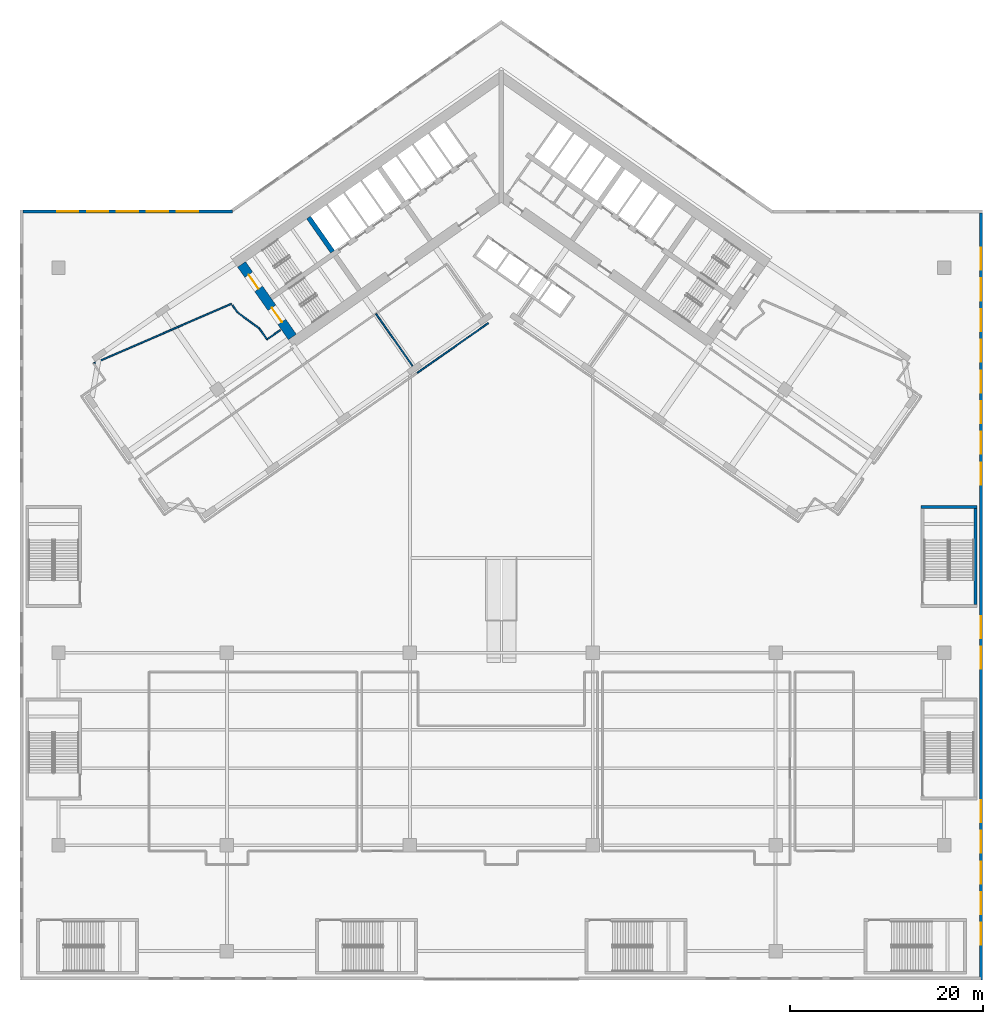
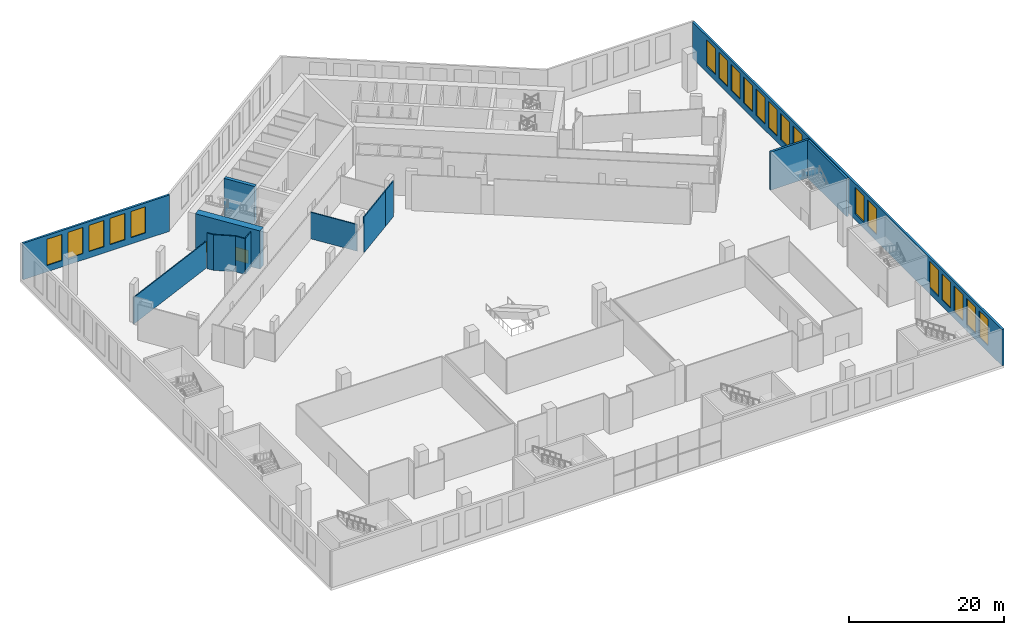
# One storey, part 9 of 25: 20 windows, 14 walls, 2 doors, 22 openings.
"""IFC4 building model written with IfcOpenShell, lengths in metres."""

from ifc_helpers import new_model, si_unit, direction, frame, frame_2d, origin, place, context, subcontext, project, spatial, polyline, rectangle, outline, extrude, material, layer, layer_set, type_object, element, fill, save


model = new_model("IFC4")

# Units and contexts
model_context = context("Model", 3, precision=1e-05, world=origin(), true_north=direction((0.0, 1.0)))
body_context = subcontext(model_context, "Body", "Model", "MODEL_VIEW")
ifc_project = project(units=[si_unit("LENGTHUNIT", "METRE"), si_unit("AREAUNIT", "SQUARE_METRE"), si_unit("VOLUMEUNIT", "CUBIC_METRE"), si_unit("PLANEANGLEUNIT", "RADIAN"), si_unit("MASSUNIT", "GRAM", prefix="KILO")], contexts=[model_context])

# Site, building, storey
site_placement = place(None, origin())
site = spatial("IfcSite", under=ifc_project, at=site_placement, CompositionType="ELEMENT")
building_placement = place(site_placement, origin())
building = spatial("IfcBuilding", under=site, at=building_placement, Name="Tel Ilan Convention Tower", CompositionType="ELEMENT")
storey_placement = place(building_placement, frame((0.0, 0.0, 26.0)))
storey = spatial("IfcBuildingStorey", under=building, at=storey_placement, Name="L03", CompositionType="ELEMENT", Elevation=26.0)

# Wall, openings, doors
ifc_material_1 = material(Name="Concrete C60/75", Category="concrete")
ifc_layer_1 = layer(ifc_material_1, 1.0)
ifc_layer_set_1 = layer_set([ifc_layer_1], Name="Core Shear Wall 1000 mm C60/75")
wall_type_1 = type_object("IfcWallType", Name="Core Shear Wall 1000 mm C60/75", PredefinedType="SHEAR", material=ifc_layer_set_1)
wall_1_placement = place(storey_placement, frame((-21.70751953125, -15.19970703125, 0.0), z_axis=(0.0, 0.0, 1.0), x_axis=(-0.573576324356, 0.819152122709, 0.0)))
wall_1 = element("IfcWall", 1, at=wall_1_placement, inside=storey, type_object=wall_type_1, Name="L03 core wall W-end", PredefinedType="SHEAR", context=body_context, shape_type="SweptSolid", body=[
    extrude(outline(polyline([(0.0, 0.5), (0.0, -0.5), (9.199951171875, -0.5), (9.199951171875, 0.5), (0.0, 0.5)])), origin(), (0.0, 0.0, 1.0), 6.0),
])
opening_1_placement = place(wall_1_placement, frame((6.10009765625, 0.0, 0.0)))
opening_1 = element("IfcOpeningElement", 2, at=opening_1_placement, cuts=wall_1, Name="Opening SD0601", PredefinedType="OPENING", context=body_context, shape_type="SweptSolid", body=[
    extrude(rectangle(XDim=1.800048828125, YDim=2.10009765625, at=frame_2d((0.89990234375, 1.050048828125))), frame((0.0, 0.510009765625, 0.0), z_axis=(0.0, -1.0, 0.0), x_axis=(1.0, 0.0, 0.0)), (0.0, 0.0, 1.0), 1.02001953125),
])
opening_2_placement = place(wall_1_placement, frame((1.89990234375, 0.0, 0.0)))
opening_2 = element("IfcOpeningElement", 3, at=opening_2_placement, cuts=wall_1, Name="Opening SD0602", PredefinedType="OPENING", context=body_context, shape_type="SweptSolid", body=[
    extrude(rectangle(XDim=1.800048828125, YDim=2.10009765625, at=frame_2d((0.89990234375, 1.050048828125))), frame((0.0, 0.510009765625, 0.0), z_axis=(0.0, -1.0, 0.0), x_axis=(1.0, 0.0, 0.0)), (0.0, 0.0, 1.0), 1.02001953125),
])
ifc_material_2 = material(Name="Galvanised Steel Door Leaf", Category="steel")
door_type = type_object("IfcDoorType", Name="Stair Fire Door 1800 x 2100 FD60S", OperationType="NOTDEFINED", PredefinedType="DOOR", material=ifc_material_2)
door_1_placement = place(opening_1_placement, origin())
door_1 = element("IfcDoor", 4, at=door_1_placement, inside=storey, type_object=door_type, Name="Stair S1 door", OperationType="DOUBLE_DOOR_SINGLE_SWING", OverallHeight=2.10009765625, OverallWidth=1.800048828125, PredefinedType="DOOR", context=body_context, shape_type="SweptSolid", body=[
    extrude(rectangle(XDim=1.800048828125, YDim=2.10009765625, at=frame_2d((0.89990234375, 1.050048828125))), frame((0.0, 0.02490234375, 0.0), z_axis=(0.0, -1.0, 0.0), x_axis=(1.0, 0.0, 0.0)), (0.0, 0.0, 1.0), 0.050048828125),
])
fill(opening_1, door_1)
door_2_placement = place(opening_2_placement, origin())
door_2 = element("IfcDoor", 5, at=door_2_placement, inside=storey, type_object=door_type, Name="Stair S2 door", OperationType="DOUBLE_DOOR_SINGLE_SWING", OverallHeight=2.10009765625, OverallWidth=1.800048828125, PredefinedType="DOOR", context=body_context, shape_type="SweptSolid", body=[
    extrude(rectangle(XDim=1.800048828125, YDim=2.10009765625, at=frame_2d((0.89990234375, 1.050048828125))), frame((0.0, 0.02490234375, 0.0), z_axis=(0.0, -1.0, 0.0), x_axis=(1.0, 0.0, 0.0)), (0.0, 0.0, 1.0), 0.050048828125),
])
fill(opening_2, door_2)

# Walls
ifc_material_3 = material(Name="Concrete C60/75", Category="concrete")
ifc_layer_2 = layer(ifc_material_3, 0.5)
ifc_layer_set_2 = layer_set([ifc_layer_2], Name="Core Shear Wall 500 mm C60/75")
wall_type_2 = type_object("IfcWallType", Name="Core Shear Wall 500 mm C60/75", PredefinedType="SHEAR", material=ifc_layer_set_2)
wall_2_placement = place(storey_placement, frame((-17.526611328125, -6.3515625, 0.0), z_axis=(0.0, 0.0, 1.0), x_axis=(-0.573530143085, 0.819184457233, 0.0)))
element("IfcWall", 6, at=wall_2_placement, inside=storey, type_object=wall_type_2, Name="L03 core wall W-cross2-2", PredefinedType="SHEAR", context=body_context, shape_type="SweptSolid", body=[
    extrude(outline(polyline([(4.35009765625, -0.249755859375), (4.35009765625, 0.250244140625), (0.0, 0.25), (0.0, -0.25), (4.35009765625, -0.249755859375)])), origin(), (0.0, 0.0, 1.0), 6.0),
])
ifc_material_4 = material(Name="Plasterboard on Steel Studs", Category="steel")
ifc_layer_3 = layer(ifc_material_4, 0.14990234375)
ifc_layer_set_3 = layer_set([ifc_layer_3], Name="Fire-rated Partition 150 EI 60")
wall_type_3 = type_object("IfcWallType", Name="Fire-rated Partition 150 EI 60", PredefinedType="PARTITIONING", material=ifc_layer_set_3)
wall_3_placement = place(storey_placement, frame((-8.722900390625, -18.92724609375, 0.0), z_axis=(0.0, 0.0, 1.0), x_axis=(0.81913387212, 0.573602388024, 0.0)))
element("IfcWall", 7, at=wall_3_placement, inside=storey, type_object=wall_type_3, Name="Partition 039", PredefinedType="PARTITIONING", context=body_context, shape_type="SweptSolid", body=[
    extrude(rectangle(XDim=6.5517578125, YDim=0.14990234375, at=frame_2d((3.27587890625, 0.0))), origin(), (0.0, 0.0, 1.0), 5.60009765625),
])
wall_4_placement = place(storey_placement, frame((-3.355224609375, -15.168701171875, 0.0), z_axis=(0.0, 0.0, 1.0), x_axis=(0.819157023945, 0.573569324599, 0.0)))
element("IfcWall", 8, at=wall_4_placement, inside=storey, type_object=wall_type_3, Name="Partition 065", PredefinedType="PARTITIONING", context=body_context, shape_type="SweptSolid", body=[
    extrude(rectangle(XDim=2.450439453125, YDim=0.14990234375, at=frame_2d((1.22509765625, 0.0))), origin(), (0.0, 0.0, 1.0), 5.60009765625),
])
wall_5_placement = place(storey_placement, frame((-28.0263671875, -11.751220703125, 0.0), z_axis=(0.0, 0.0, 1.0), x_axis=(-0.91753357696, -0.397658314577, 0.0)))
element("IfcWall", 9, at=wall_5_placement, inside=storey, type_object=wall_type_3, Name="Partition 070", PredefinedType="PARTITIONING", context=body_context, shape_type="SweptSolid", body=[
    extrude(rectangle(XDim=15.621337890625, YDim=0.14990234375, at=frame_2d((7.810546875, 0.0))), origin(), (0.0, 0.0, 1.0), 4.179931640625),
])
wall_6_placement = place(storey_placement, frame((-22.961181640625, -14.490478515625, 0.0), z_axis=(0.0, 0.0, 1.0), x_axis=(-0.819109000826, -0.573637903879, 0.0)))
element("IfcWall", 10, at=wall_6_placement, inside=storey, type_object=wall_type_3, Name="Partition 071", PredefinedType="PARTITIONING", context=body_context, shape_type="SweptSolid", body=[
    extrude(rectangle(XDim=1.679931640625, YDim=0.14990234375, at=frame_2d((0.83984375, 0.0))), origin(), (0.0, 0.0, 1.0), 5.60009765625),
])
wall_7_placement = place(storey_placement, frame((-24.337158203125, -15.4541015625, 0.0), z_axis=(0.0, 0.0, 1.0), x_axis=(-0.573571252353, 0.819155674139, 0.0)))
element("IfcWall", 11, at=wall_7_placement, inside=storey, type_object=wall_type_3, Name="Partition 072", PredefinedType="PARTITIONING", context=body_context, shape_type="SweptSolid", body=[
    extrude(rectangle(XDim=1.35400390625, YDim=0.14990234375, at=frame_2d((0.677001953125, 0.0))), origin(), (0.0, 0.0, 1.0), 5.60009765625),
])
wall_8_placement = place(storey_placement, frame((-25.11376953125, -14.344970703125, 0.0), z_axis=(0.0, 0.0, 1.0), x_axis=(-0.803169525988, 0.59575054555, 0.0)))
element("IfcWall", 12, at=wall_8_placement, inside=storey, type_object=wall_type_3, Name="Partition 073", PredefinedType="PARTITIONING", context=body_context, shape_type="SweptSolid", body=[
    extrude(rectangle(XDim=2.84619140625, YDim=0.14990234375, at=frame_2d((1.423095703125, 0.0))), origin(), (0.0, 0.0, 1.0), 5.60009765625),
])
wall_9_placement = place(storey_placement, frame((-27.399658203125, -12.6494140625, 0.0), z_axis=(0.0, 0.0, 1.0), x_axis=(-0.573713979357, 0.819055718428, 0.0)))
element("IfcWall", 13, at=wall_9_placement, inside=storey, type_object=wall_type_3, Name="Partition 074", PredefinedType="PARTITIONING", context=body_context, shape_type="SweptSolid", body=[
    extrude(rectangle(XDim=0.91162109375, YDim=0.14990234375, at=frame_2d((0.455810546875, 0.0))), origin(), (0.0, 0.0, 1.0), 5.60009765625),
])
wall_10_placement = place(storey_placement, frame((-9.22119140625, -18.212890625, 0.0), z_axis=(0.0, 0.0, 1.0), x_axis=(-0.573556251799, 0.819166177294, 0.0)))
element("IfcWall", 14, at=wall_10_placement, inside=storey, type_object=wall_type_3, Name="Partition 075", PredefinedType="PARTITIONING", context=body_context, shape_type="SweptSolid", body=[
    extrude(rectangle(XDim=6.630126953125, YDim=0.14990234375, at=frame_2d((3.31494140625, 0.0))), origin(), (0.0, 0.0, 1.0), 4.179931640625),
])

# Wall, openings, windows
ifc_material_5 = material(Name="Bronze aluminium cladding panel on insulated steel frame", Category="steel")
ifc_layer_4 = layer(ifc_material_5, 0.300048828125)
ifc_layer_set_4 = layer_set([ifc_layer_4], Name="PODIUM CLADDING WALL 300")
wall_type_4 = type_object("IfcWallType", Name="PODIUM CLADDING WALL 300", PredefinedType="SOLIDWALL", material=ifc_layer_set_4)
wall_11_placement = place(storey_placement, frame((-49.699951171875, -2.14990234375, 0.0), z_axis=(0.0, 0.0, 1.0), x_axis=(1.0, 0.0, 0.0)))
wall_11 = element("IfcWall", 15, at=wall_11_placement, inside=storey, type_object=wall_type_4, Name="Podium cladding wall", PredefinedType="SOLIDWALL", context=body_context, shape_type="SweptSolid", body=[
    extrude(rectangle(XDim=21.760986328125, YDim=0.300048828125, at=frame_2d((10.88037109375, 0.0))), origin(), (0.0, 0.0, 1.0), 5.719970703125),
])
opening_3_placement = place(wall_11_placement, frame((3.558837890625, 0.0, 1.0)))
opening_3 = element("IfcOpeningElement", 16, at=opening_3_placement, cuts=wall_11, Name="Opening W-06.026", PredefinedType="OPENING", context=body_context, shape_type="SweptSolid", body=[
    extrude(rectangle(XDim=2.208740234375, YDim=4.1201171875, at=frame_2d((1.1044921875, 2.06005859375))), frame((0.0, 0.159912109375, 0.0), z_axis=(0.0, -1.0, 0.0), x_axis=(1.0, 0.0, 0.0)), (0.0, 0.0, 1.0), 0.320068359375),
])
opening_4_placement = place(wall_11_placement, frame((6.66748046875, 0.0, 1.0)))
opening_4 = element("IfcOpeningElement", 17, at=opening_4_placement, cuts=wall_11, Name="Opening W-06.027", PredefinedType="OPENING", context=body_context, shape_type="SweptSolid", body=[
    extrude(rectangle(XDim=2.208740234375, YDim=4.1201171875, at=frame_2d((1.1044921875, 2.06005859375))), frame((0.0, 0.159912109375, 0.0), z_axis=(0.0, -1.0, 0.0), x_axis=(1.0, 0.0, 0.0)), (0.0, 0.0, 1.0), 0.320068359375),
])
opening_5_placement = place(wall_11_placement, frame((9.776123046875, 0.0, 1.0)))
opening_5 = element("IfcOpeningElement", 18, at=opening_5_placement, cuts=wall_11, Name="Opening W-06.028", PredefinedType="OPENING", context=body_context, shape_type="SweptSolid", body=[
    extrude(rectangle(XDim=2.208740234375, YDim=4.1201171875, at=frame_2d((1.1044921875, 2.06005859375))), frame((0.0, 0.159912109375, 0.0), z_axis=(0.0, -1.0, 0.0), x_axis=(1.0, 0.0, 0.0)), (0.0, 0.0, 1.0), 0.320068359375),
])
opening_6_placement = place(wall_11_placement, frame((12.884765625, 0.0, 1.0)))
opening_6 = element("IfcOpeningElement", 19, at=opening_6_placement, cuts=wall_11, Name="Opening W-06.029", PredefinedType="OPENING", context=body_context, shape_type="SweptSolid", body=[
    extrude(rectangle(XDim=2.208740234375, YDim=4.1201171875, at=frame_2d((1.1044921875, 2.06005859375))), frame((0.0, 0.159912109375, 0.0), z_axis=(0.0, -1.0, 0.0), x_axis=(1.0, 0.0, 0.0)), (0.0, 0.0, 1.0), 0.320068359375),
])
opening_7_placement = place(wall_11_placement, frame((15.99365234375, 0.0, 1.0)))
opening_7 = element("IfcOpeningElement", 20, at=opening_7_placement, cuts=wall_11, Name="Opening W-06.030", PredefinedType="OPENING", context=body_context, shape_type="SweptSolid", body=[
    extrude(rectangle(XDim=2.208740234375, YDim=4.1201171875, at=frame_2d((1.1044921875, 2.06005859375))), frame((0.0, 0.159912109375, 0.0), z_axis=(0.0, -1.0, 0.0), x_axis=(1.0, 0.0, 0.0)), (0.0, 0.0, 1.0), 0.320068359375),
])
ifc_material_6 = material(Name="Aluminium framed glazing, bronze anodised, tinted glass", Category="aluminium")
window_type_1 = type_object("IfcWindowType", Name="PODIUM WINDOW 2209x4120", PartitioningType="SINGLE_PANEL", PredefinedType="WINDOW", material=ifc_material_6)
window_1_placement = place(opening_3_placement, origin())
window_1 = element("IfcWindow", 21, at=window_1_placement, inside=storey, type_object=window_type_1, Name="Podium window", OverallHeight=4.1201171875, OverallWidth=2.208740234375, PartitioningType="SINGLE_PANEL", PredefinedType="WINDOW", context=body_context, shape_type="SweptSolid", body=[
    extrude(rectangle(XDim=2.208740234375, YDim=4.1201171875, at=frame_2d((1.1044921875, 2.06005859375))), frame((0.0, 0.030029296875, 0.0), z_axis=(0.0, -1.0, 0.0), x_axis=(1.0, 0.0, 0.0)), (0.0, 0.0, 1.0), 0.06005859375),
])
fill(opening_3, window_1)
window_2_placement = place(opening_4_placement, origin())
window_2 = element("IfcWindow", 22, at=window_2_placement, inside=storey, type_object=window_type_1, Name="Podium window", OverallHeight=4.1201171875, OverallWidth=2.208740234375, PartitioningType="SINGLE_PANEL", PredefinedType="WINDOW", context=body_context, shape_type="SweptSolid", body=[
    extrude(rectangle(XDim=2.208740234375, YDim=4.1201171875, at=frame_2d((1.1044921875, 2.06005859375))), frame((0.0, 0.030029296875, 0.0), z_axis=(0.0, -1.0, 0.0), x_axis=(1.0, 0.0, 0.0)), (0.0, 0.0, 1.0), 0.06005859375),
])
fill(opening_4, window_2)
window_3_placement = place(opening_5_placement, origin())
window_3 = element("IfcWindow", 23, at=window_3_placement, inside=storey, type_object=window_type_1, Name="Podium window", OverallHeight=4.1201171875, OverallWidth=2.208740234375, PartitioningType="SINGLE_PANEL", PredefinedType="WINDOW", context=body_context, shape_type="SweptSolid", body=[
    extrude(rectangle(XDim=2.208740234375, YDim=4.1201171875, at=frame_2d((1.1044921875, 2.06005859375))), frame((0.0, 0.030029296875, 0.0), z_axis=(0.0, -1.0, 0.0), x_axis=(1.0, 0.0, 0.0)), (0.0, 0.0, 1.0), 0.06005859375),
])
fill(opening_5, window_3)
window_4_placement = place(opening_6_placement, origin())
window_4 = element("IfcWindow", 24, at=window_4_placement, inside=storey, type_object=window_type_1, Name="Podium window", OverallHeight=4.1201171875, OverallWidth=2.208740234375, PartitioningType="SINGLE_PANEL", PredefinedType="WINDOW", context=body_context, shape_type="SweptSolid", body=[
    extrude(rectangle(XDim=2.208740234375, YDim=4.1201171875, at=frame_2d((1.1044921875, 2.06005859375))), frame((0.0, 0.030029296875, 0.0), z_axis=(0.0, -1.0, 0.0), x_axis=(1.0, 0.0, 0.0)), (0.0, 0.0, 1.0), 0.06005859375),
])
fill(opening_6, window_4)
window_5_placement = place(opening_7_placement, origin())
window_5 = element("IfcWindow", 25, at=window_5_placement, inside=storey, type_object=window_type_1, Name="Podium window", OverallHeight=4.1201171875, OverallWidth=2.208740234375, PartitioningType="SINGLE_PANEL", PredefinedType="WINDOW", context=body_context, shape_type="SweptSolid", body=[
    extrude(rectangle(XDim=2.208740234375, YDim=4.1201171875, at=frame_2d((1.1044921875, 2.06005859375))), frame((0.0, 0.030029296875, 0.0), z_axis=(0.0, -1.0, 0.0), x_axis=(1.0, 0.0, 0.0)), (0.0, 0.0, 1.0), 0.06005859375),
])
fill(opening_7, window_5)

wall_12_placement = place(storey_placement, frame((49.85009765625, -2.300048828125, 0.0), z_axis=(0.0, 0.0, 1.0), x_axis=(0.0, -1.0, 0.0)))
wall_12 = element("IfcWall", 26, at=wall_12_placement, inside=storey, type_object=wall_type_4, Name="Podium cladding wall", PredefinedType="SOLIDWALL", context=body_context, shape_type="SweptSolid", body=[
    extrude(rectangle(XDim=79.699951171875, YDim=0.300048828125, at=frame_2d((39.85009765625, 0.0))), origin(), (0.0, 0.0, 1.0), 5.719970703125),
])
opening_8_placement = place(wall_12_placement, frame((3.637939453125, 0.0, 1.0)))
opening_8 = element("IfcOpeningElement", 27, at=opening_8_placement, cuts=wall_12, Name="Opening W-06.054", PredefinedType="OPENING", context=body_context, shape_type="SweptSolid", body=[
    extrude(rectangle(XDim=2.2880859375, YDim=4.1201171875, at=frame_2d((1.14404296875, 2.06005859375))), frame((0.0, 0.159912109375, 0.0), z_axis=(0.0, -1.0, 0.0), x_axis=(1.0, 0.0, 0.0)), (0.0, 0.0, 1.0), 0.320068359375),
])
opening_9_placement = place(wall_12_placement, frame((6.825927734375, 0.0, 1.0)))
opening_9 = element("IfcOpeningElement", 28, at=opening_9_placement, cuts=wall_12, Name="Opening W-06.055", PredefinedType="OPENING", context=body_context, shape_type="SweptSolid", body=[
    extrude(rectangle(XDim=2.2880859375, YDim=4.1201171875, at=frame_2d((1.14404296875, 2.06005859375))), frame((0.0, 0.159912109375, 0.0), z_axis=(0.0, -1.0, 0.0), x_axis=(1.0, 0.0, 0.0)), (0.0, 0.0, 1.0), 0.320068359375),
])
opening_10_placement = place(wall_12_placement, frame((10.013916015625, 0.0, 1.0)))
opening_10 = element("IfcOpeningElement", 29, at=opening_10_placement, cuts=wall_12, Name="Opening W-06.056", PredefinedType="OPENING", context=body_context, shape_type="SweptSolid", body=[
    extrude(rectangle(XDim=2.2880859375, YDim=4.1201171875, at=frame_2d((1.14404296875, 2.06005859375))), frame((0.0, 0.159912109375, 0.0), z_axis=(0.0, -1.0, 0.0), x_axis=(1.0, 0.0, 0.0)), (0.0, 0.0, 1.0), 0.320068359375),
])
opening_11_placement = place(wall_12_placement, frame((13.201904296875, 0.0, 1.0)))
opening_11 = element("IfcOpeningElement", 30, at=opening_11_placement, cuts=wall_12, Name="Opening W-06.057", PredefinedType="OPENING", context=body_context, shape_type="SweptSolid", body=[
    extrude(rectangle(XDim=2.2880859375, YDim=4.1201171875, at=frame_2d((1.14404296875, 2.06005859375))), frame((0.0, 0.159912109375, 0.0), z_axis=(0.0, -1.0, 0.0), x_axis=(1.0, 0.0, 0.0)), (0.0, 0.0, 1.0), 0.320068359375),
])
opening_12_placement = place(wall_12_placement, frame((16.389892578125, 0.0, 1.0)))
opening_12 = element("IfcOpeningElement", 31, at=opening_12_placement, cuts=wall_12, Name="Opening W-06.058", PredefinedType="OPENING", context=body_context, shape_type="SweptSolid", body=[
    extrude(rectangle(XDim=2.2880859375, YDim=4.1201171875, at=frame_2d((1.14404296875, 2.06005859375))), frame((0.0, 0.159912109375, 0.0), z_axis=(0.0, -1.0, 0.0), x_axis=(1.0, 0.0, 0.0)), (0.0, 0.0, 1.0), 0.320068359375),
])
opening_13_placement = place(wall_12_placement, frame((19.577880859375, 0.0, 1.0)))
opening_13 = element("IfcOpeningElement", 32, at=opening_13_placement, cuts=wall_12, Name="Opening W-06.059", PredefinedType="OPENING", context=body_context, shape_type="SweptSolid", body=[
    extrude(rectangle(XDim=2.2880859375, YDim=4.1201171875, at=frame_2d((1.14404296875, 2.06005859375))), frame((0.0, 0.159912109375, 0.0), z_axis=(0.0, -1.0, 0.0), x_axis=(1.0, 0.0, 0.0)), (0.0, 0.0, 1.0), 0.320068359375),
])
opening_14_placement = place(wall_12_placement, frame((22.76611328125, 0.0, 1.0)))
opening_14 = element("IfcOpeningElement", 33, at=opening_14_placement, cuts=wall_12, Name="Opening W-06.060", PredefinedType="OPENING", context=body_context, shape_type="SweptSolid", body=[
    extrude(rectangle(XDim=2.2880859375, YDim=4.1201171875, at=frame_2d((1.14404296875, 2.06005859375))), frame((0.0, 0.159912109375, 0.0), z_axis=(0.0, -1.0, 0.0), x_axis=(1.0, 0.0, 0.0)), (0.0, 0.0, 1.0), 0.320068359375),
])
opening_15_placement = place(wall_12_placement, frame((25.9541015625, 0.0, 1.0)))
opening_15 = element("IfcOpeningElement", 34, at=opening_15_placement, cuts=wall_12, Name="Opening W-06.061", PredefinedType="OPENING", context=body_context, shape_type="SweptSolid", body=[
    extrude(rectangle(XDim=2.2880859375, YDim=4.1201171875, at=frame_2d((1.14404296875, 2.06005859375))), frame((0.0, 0.159912109375, 0.0), z_axis=(0.0, -1.0, 0.0), x_axis=(1.0, 0.0, 0.0)), (0.0, 0.0, 1.0), 0.320068359375),
])
opening_16_placement = place(wall_12_placement, frame((41.89404296875, 0.0, 1.0)))
opening_16 = element("IfcOpeningElement", 35, at=opening_16_placement, cuts=wall_12, Name="Opening W-06.062", PredefinedType="OPENING", context=body_context, shape_type="SweptSolid", body=[
    extrude(rectangle(XDim=2.2880859375, YDim=4.1201171875, at=frame_2d((1.14404296875, 2.06005859375))), frame((0.0, 0.159912109375, 0.0), z_axis=(0.0, -1.0, 0.0), x_axis=(1.0, 0.0, 0.0)), (0.0, 0.0, 1.0), 0.320068359375),
])
opening_17_placement = place(wall_12_placement, frame((45.08203125, 0.0, 1.0)))
opening_17 = element("IfcOpeningElement", 36, at=opening_17_placement, cuts=wall_12, Name="Opening W-06.063", PredefinedType="OPENING", context=body_context, shape_type="SweptSolid", body=[
    extrude(rectangle(XDim=2.2880859375, YDim=4.1201171875, at=frame_2d((1.14404296875, 2.06005859375))), frame((0.0, 0.159912109375, 0.0), z_axis=(0.0, -1.0, 0.0), x_axis=(1.0, 0.0, 0.0)), (0.0, 0.0, 1.0), 0.320068359375),
])
opening_18_placement = place(wall_12_placement, frame((61.02197265625, 0.0, 1.0)))
opening_18 = element("IfcOpeningElement", 37, at=opening_18_placement, cuts=wall_12, Name="Opening W-06.064", PredefinedType="OPENING", context=body_context, shape_type="SweptSolid", body=[
    extrude(rectangle(XDim=2.2880859375, YDim=4.1201171875, at=frame_2d((1.14404296875, 2.06005859375))), frame((0.0, 0.159912109375, 0.0), z_axis=(0.0, -1.0, 0.0), x_axis=(1.0, 0.0, 0.0)), (0.0, 0.0, 1.0), 0.320068359375),
])
opening_19_placement = place(wall_12_placement, frame((64.2099609375, 0.0, 1.0)))
opening_19 = element("IfcOpeningElement", 38, at=opening_19_placement, cuts=wall_12, Name="Opening W-06.065", PredefinedType="OPENING", context=body_context, shape_type="SweptSolid", body=[
    extrude(rectangle(XDim=2.2880859375, YDim=4.1201171875, at=frame_2d((1.14404296875, 2.06005859375))), frame((0.0, 0.159912109375, 0.0), z_axis=(0.0, -1.0, 0.0), x_axis=(1.0, 0.0, 0.0)), (0.0, 0.0, 1.0), 0.320068359375),
])
opening_20_placement = place(wall_12_placement, frame((67.39794921875, 0.0, 1.0)))
opening_20 = element("IfcOpeningElement", 39, at=opening_20_placement, cuts=wall_12, Name="Opening W-06.066", PredefinedType="OPENING", context=body_context, shape_type="SweptSolid", body=[
    extrude(rectangle(XDim=2.2880859375, YDim=4.1201171875, at=frame_2d((1.14404296875, 2.06005859375))), frame((0.0, 0.159912109375, 0.0), z_axis=(0.0, -1.0, 0.0), x_axis=(1.0, 0.0, 0.0)), (0.0, 0.0, 1.0), 0.320068359375),
])
opening_21_placement = place(wall_12_placement, frame((70.5859375, 0.0, 1.0)))
opening_21 = element("IfcOpeningElement", 40, at=opening_21_placement, cuts=wall_12, Name="Opening W-06.067", PredefinedType="OPENING", context=body_context, shape_type="SweptSolid", body=[
    extrude(rectangle(XDim=2.2880859375, YDim=4.1201171875, at=frame_2d((1.14404296875, 2.06005859375))), frame((0.0, 0.159912109375, 0.0), z_axis=(0.0, -1.0, 0.0), x_axis=(1.0, 0.0, 0.0)), (0.0, 0.0, 1.0), 0.320068359375),
])
opening_22_placement = place(wall_12_placement, frame((73.77392578125, 0.0, 1.0)))
opening_22 = element("IfcOpeningElement", 41, at=opening_22_placement, cuts=wall_12, Name="Opening W-06.068", PredefinedType="OPENING", context=body_context, shape_type="SweptSolid", body=[
    extrude(rectangle(XDim=2.2880859375, YDim=4.1201171875, at=frame_2d((1.14404296875, 2.06005859375))), frame((0.0, 0.159912109375, 0.0), z_axis=(0.0, -1.0, 0.0), x_axis=(1.0, 0.0, 0.0)), (0.0, 0.0, 1.0), 0.320068359375),
])
ifc_material_7 = material(Name="Aluminium framed glazing, bronze anodised, tinted glass", Category="aluminium")
window_type_2 = type_object("IfcWindowType", Name="PODIUM WINDOW 2288x4120", PartitioningType="SINGLE_PANEL", PredefinedType="WINDOW", material=ifc_material_7)
window_6_placement = place(opening_8_placement, origin())
window_6 = element("IfcWindow", 42, at=window_6_placement, inside=storey, type_object=window_type_2, Name="Podium window", OverallHeight=4.1201171875, OverallWidth=2.2880859375, PartitioningType="SINGLE_PANEL", PredefinedType="WINDOW", context=body_context, shape_type="SweptSolid", body=[
    extrude(rectangle(XDim=2.2880859375, YDim=4.1201171875, at=frame_2d((1.14404296875, 2.06005859375))), frame((0.0, 0.030029296875, 0.0), z_axis=(0.0, -1.0, 0.0), x_axis=(1.0, 0.0, 0.0)), (0.0, 0.0, 1.0), 0.06005859375),
])
fill(opening_8, window_6)
window_7_placement = place(opening_9_placement, origin())
window_7 = element("IfcWindow", 43, at=window_7_placement, inside=storey, type_object=window_type_2, Name="Podium window", OverallHeight=4.1201171875, OverallWidth=2.2880859375, PartitioningType="SINGLE_PANEL", PredefinedType="WINDOW", context=body_context, shape_type="SweptSolid", body=[
    extrude(rectangle(XDim=2.2880859375, YDim=4.1201171875, at=frame_2d((1.14404296875, 2.06005859375))), frame((0.0, 0.030029296875, 0.0), z_axis=(0.0, -1.0, 0.0), x_axis=(1.0, 0.0, 0.0)), (0.0, 0.0, 1.0), 0.06005859375),
])
fill(opening_9, window_7)
window_8_placement = place(opening_10_placement, origin())
window_8 = element("IfcWindow", 44, at=window_8_placement, inside=storey, type_object=window_type_2, Name="Podium window", OverallHeight=4.1201171875, OverallWidth=2.2880859375, PartitioningType="SINGLE_PANEL", PredefinedType="WINDOW", context=body_context, shape_type="SweptSolid", body=[
    extrude(rectangle(XDim=2.2880859375, YDim=4.1201171875, at=frame_2d((1.14404296875, 2.06005859375))), frame((0.0, 0.030029296875, 0.0), z_axis=(0.0, -1.0, 0.0), x_axis=(1.0, 0.0, 0.0)), (0.0, 0.0, 1.0), 0.06005859375),
])
fill(opening_10, window_8)
window_9_placement = place(opening_11_placement, origin())
window_9 = element("IfcWindow", 45, at=window_9_placement, inside=storey, type_object=window_type_2, Name="Podium window", OverallHeight=4.1201171875, OverallWidth=2.2880859375, PartitioningType="SINGLE_PANEL", PredefinedType="WINDOW", context=body_context, shape_type="SweptSolid", body=[
    extrude(rectangle(XDim=2.2880859375, YDim=4.1201171875, at=frame_2d((1.14404296875, 2.06005859375))), frame((0.0, 0.030029296875, 0.0), z_axis=(0.0, -1.0, 0.0), x_axis=(1.0, 0.0, 0.0)), (0.0, 0.0, 1.0), 0.06005859375),
])
fill(opening_11, window_9)
window_10_placement = place(opening_12_placement, origin())
window_10 = element("IfcWindow", 46, at=window_10_placement, inside=storey, type_object=window_type_2, Name="Podium window", OverallHeight=4.1201171875, OverallWidth=2.2880859375, PartitioningType="SINGLE_PANEL", PredefinedType="WINDOW", context=body_context, shape_type="SweptSolid", body=[
    extrude(rectangle(XDim=2.2880859375, YDim=4.1201171875, at=frame_2d((1.14404296875, 2.06005859375))), frame((0.0, 0.030029296875, 0.0), z_axis=(0.0, -1.0, 0.0), x_axis=(1.0, 0.0, 0.0)), (0.0, 0.0, 1.0), 0.06005859375),
])
fill(opening_12, window_10)
window_11_placement = place(opening_13_placement, origin())
window_11 = element("IfcWindow", 47, at=window_11_placement, inside=storey, type_object=window_type_2, Name="Podium window", OverallHeight=4.1201171875, OverallWidth=2.2880859375, PartitioningType="SINGLE_PANEL", PredefinedType="WINDOW", context=body_context, shape_type="SweptSolid", body=[
    extrude(rectangle(XDim=2.2880859375, YDim=4.1201171875, at=frame_2d((1.14404296875, 2.06005859375))), frame((0.0, 0.030029296875, 0.0), z_axis=(0.0, -1.0, 0.0), x_axis=(1.0, 0.0, 0.0)), (0.0, 0.0, 1.0), 0.06005859375),
])
fill(opening_13, window_11)
window_12_placement = place(opening_14_placement, origin())
window_12 = element("IfcWindow", 48, at=window_12_placement, inside=storey, type_object=window_type_2, Name="Podium window", OverallHeight=4.1201171875, OverallWidth=2.2880859375, PartitioningType="SINGLE_PANEL", PredefinedType="WINDOW", context=body_context, shape_type="SweptSolid", body=[
    extrude(rectangle(XDim=2.2880859375, YDim=4.1201171875, at=frame_2d((1.14404296875, 2.06005859375))), frame((0.0, 0.030029296875, 0.0), z_axis=(0.0, -1.0, 0.0), x_axis=(1.0, 0.0, 0.0)), (0.0, 0.0, 1.0), 0.06005859375),
])
fill(opening_14, window_12)
window_13_placement = place(opening_15_placement, origin())
window_13 = element("IfcWindow", 49, at=window_13_placement, inside=storey, type_object=window_type_2, Name="Podium window", OverallHeight=4.1201171875, OverallWidth=2.2880859375, PartitioningType="SINGLE_PANEL", PredefinedType="WINDOW", context=body_context, shape_type="SweptSolid", body=[
    extrude(rectangle(XDim=2.2880859375, YDim=4.1201171875, at=frame_2d((1.14404296875, 2.06005859375))), frame((0.0, 0.030029296875, 0.0), z_axis=(0.0, -1.0, 0.0), x_axis=(1.0, 0.0, 0.0)), (0.0, 0.0, 1.0), 0.06005859375),
])
fill(opening_15, window_13)
window_14_placement = place(opening_16_placement, origin())
window_14 = element("IfcWindow", 50, at=window_14_placement, inside=storey, type_object=window_type_2, Name="Podium window", OverallHeight=4.1201171875, OverallWidth=2.2880859375, PartitioningType="SINGLE_PANEL", PredefinedType="WINDOW", context=body_context, shape_type="SweptSolid", body=[
    extrude(rectangle(XDim=2.2880859375, YDim=4.1201171875, at=frame_2d((1.14404296875, 2.06005859375))), frame((0.0, 0.030029296875, 0.0), z_axis=(0.0, -1.0, 0.0), x_axis=(1.0, 0.0, 0.0)), (0.0, 0.0, 1.0), 0.06005859375),
])
fill(opening_16, window_14)
window_15_placement = place(opening_17_placement, origin())
window_15 = element("IfcWindow", 51, at=window_15_placement, inside=storey, type_object=window_type_2, Name="Podium window", OverallHeight=4.1201171875, OverallWidth=2.2880859375, PartitioningType="SINGLE_PANEL", PredefinedType="WINDOW", context=body_context, shape_type="SweptSolid", body=[
    extrude(rectangle(XDim=2.2880859375, YDim=4.1201171875, at=frame_2d((1.14404296875, 2.06005859375))), frame((0.0, 0.030029296875, 0.0), z_axis=(0.0, -1.0, 0.0), x_axis=(1.0, 0.0, 0.0)), (0.0, 0.0, 1.0), 0.06005859375),
])
fill(opening_17, window_15)
window_16_placement = place(opening_18_placement, origin())
window_16 = element("IfcWindow", 52, at=window_16_placement, inside=storey, type_object=window_type_2, Name="Podium window", OverallHeight=4.1201171875, OverallWidth=2.2880859375, PartitioningType="SINGLE_PANEL", PredefinedType="WINDOW", context=body_context, shape_type="SweptSolid", body=[
    extrude(rectangle(XDim=2.2880859375, YDim=4.1201171875, at=frame_2d((1.14404296875, 2.06005859375))), frame((0.0, 0.030029296875, 0.0), z_axis=(0.0, -1.0, 0.0), x_axis=(1.0, 0.0, 0.0)), (0.0, 0.0, 1.0), 0.06005859375),
])
fill(opening_18, window_16)
window_17_placement = place(opening_19_placement, origin())
window_17 = element("IfcWindow", 53, at=window_17_placement, inside=storey, type_object=window_type_2, Name="Podium window", OverallHeight=4.1201171875, OverallWidth=2.2880859375, PartitioningType="SINGLE_PANEL", PredefinedType="WINDOW", context=body_context, shape_type="SweptSolid", body=[
    extrude(rectangle(XDim=2.2880859375, YDim=4.1201171875, at=frame_2d((1.14404296875, 2.06005859375))), frame((0.0, 0.030029296875, 0.0), z_axis=(0.0, -1.0, 0.0), x_axis=(1.0, 0.0, 0.0)), (0.0, 0.0, 1.0), 0.06005859375),
])
fill(opening_19, window_17)
window_18_placement = place(opening_20_placement, origin())
window_18 = element("IfcWindow", 54, at=window_18_placement, inside=storey, type_object=window_type_2, Name="Podium window", OverallHeight=4.1201171875, OverallWidth=2.2880859375, PartitioningType="SINGLE_PANEL", PredefinedType="WINDOW", context=body_context, shape_type="SweptSolid", body=[
    extrude(rectangle(XDim=2.2880859375, YDim=4.1201171875, at=frame_2d((1.14404296875, 2.06005859375))), frame((0.0, 0.030029296875, 0.0), z_axis=(0.0, -1.0, 0.0), x_axis=(1.0, 0.0, 0.0)), (0.0, 0.0, 1.0), 0.06005859375),
])
fill(opening_20, window_18)
window_19_placement = place(opening_21_placement, origin())
window_19 = element("IfcWindow", 55, at=window_19_placement, inside=storey, type_object=window_type_2, Name="Podium window", OverallHeight=4.1201171875, OverallWidth=2.2880859375, PartitioningType="SINGLE_PANEL", PredefinedType="WINDOW", context=body_context, shape_type="SweptSolid", body=[
    extrude(rectangle(XDim=2.2880859375, YDim=4.1201171875, at=frame_2d((1.14404296875, 2.06005859375))), frame((0.0, 0.030029296875, 0.0), z_axis=(0.0, -1.0, 0.0), x_axis=(1.0, 0.0, 0.0)), (0.0, 0.0, 1.0), 0.06005859375),
])
fill(opening_21, window_19)
window_20_placement = place(opening_22_placement, origin())
window_20 = element("IfcWindow", 56, at=window_20_placement, inside=storey, type_object=window_type_2, Name="Podium window", OverallHeight=4.1201171875, OverallWidth=2.2880859375, PartitioningType="SINGLE_PANEL", PredefinedType="WINDOW", context=body_context, shape_type="SweptSolid", body=[
    extrude(rectangle(XDim=2.2880859375, YDim=4.1201171875, at=frame_2d((1.14404296875, 2.06005859375))), frame((0.0, 0.030029296875, 0.0), z_axis=(0.0, -1.0, 0.0), x_axis=(1.0, 0.0, 0.0)), (0.0, 0.0, 1.0), 0.06005859375),
])
fill(opening_22, window_20)

# Walls
ifc_material_8 = material(Name="Concrete C40/50", Category="concrete")
ifc_layer_5 = layer(ifc_material_8, 0.300048828125)
ifc_layer_set_5 = layer_set([ifc_layer_5], Name="Stair Enclosure Wall 300 mm C40/50")
wall_type_5 = type_object("IfcWallType", Name="Stair Enclosure Wall 300 mm C40/50", PredefinedType="SOLIDWALL", material=ifc_layer_set_5)
wall_13_placement = place(storey_placement, frame((43.60009765625, -32.85009765625, 0.0), z_axis=(0.0, 0.0, 1.0), x_axis=(1.0, 0.0, 0.0)))
element("IfcWall", 57, at=wall_13_placement, inside=storey, type_object=wall_type_5, Name="P8 stair enclosure wall N L03", PredefinedType="SOLIDWALL", context=body_context, shape_type="SweptSolid", body=[
    extrude(rectangle(XDim=5.7998046875, YDim=0.300048828125, at=frame_2d((2.89990234375, 0.0))), origin(), (0.0, 0.0, 1.0), 6.0),
])
wall_14_placement = place(storey_placement, frame((49.25, -43.0, 0.0), z_axis=(0.0, 0.0, 1.0), x_axis=(0.0, 1.0, 0.0)))
element("IfcWall", 58, at=wall_14_placement, inside=storey, type_object=wall_type_5, Name="P8 stair enclosure wall E L03", PredefinedType="SOLIDWALL", context=body_context, shape_type="SweptSolid", body=[
    extrude(rectangle(XDim=10.0, YDim=0.300048828125, at=frame_2d((5.0, 0.0))), origin(), (0.0, 0.0, 1.0), 6.0),
])

save(model, "model.ifc")
